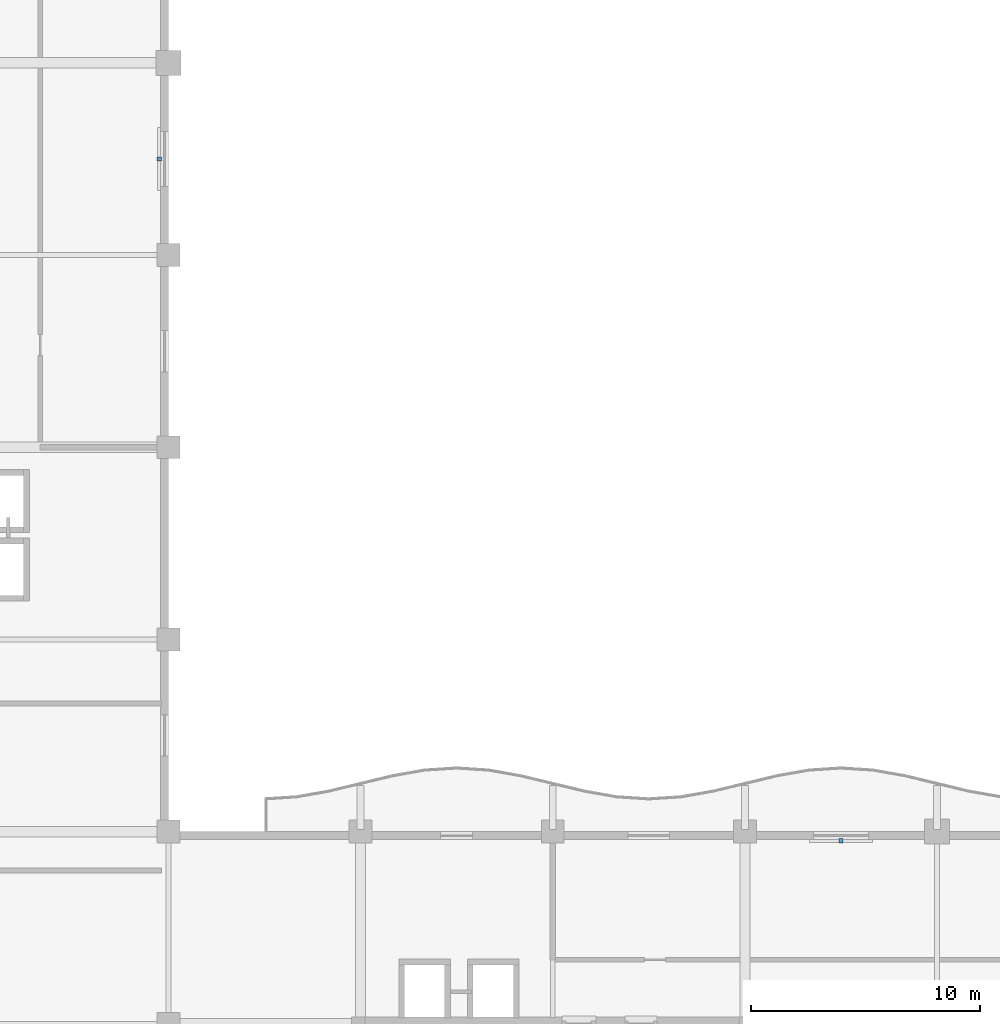
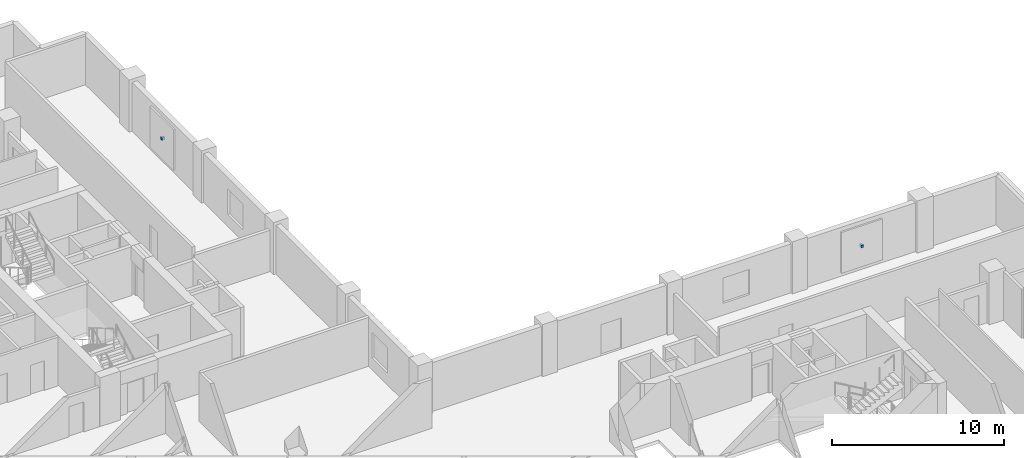
# One storey, part 16 of 20: 2 discrete accessories.
"""IFC4 building model written with IfcOpenShell, lengths in metres."""

import ifcopenshell
import ifcopenshell.guid

model = None  # the IFC model being written
_history = None  # IfcOwnerHistory: only IFC2X3 demands one
_inside = {}  # id of a spatial element -> (the spatial element, [elements in it])
_under = {}  # id of a project, library or spatial element -> (it, [spatial elements below it])
_declared = {}  # id of a project -> (the project, [libraries it declares])
_typed = {}  # id of a type object -> (the type object, [elements of that type])
_made_of = {}  # id of a material, layer set ... -> (it, [elements and type objects made of it])


def new_model(schema):
    """Start an empty IFC model of exactly this schema.

    Asked for "IFC4X3", IfcOpenShell would pick the latest addendum, in which some entities
    have other attributes; the version numbers below select the first issue.
    IFC2X3 requires an IfcOwnerHistory on every rooted entity: one is made here for all.
    """
    global model, _history
    if schema == "IFC4X3":
        model = ifcopenshell.file(schema_version=(4, 3, 0, 0))
    else:
        model = ifcopenshell.file(schema=schema)
    _inside.clear()
    _under.clear()
    _declared.clear()
    _typed.clear()
    _made_of.clear()
    _history = None
    if model.schema == "IFC2X3":
        org = make("IfcOrganization", Name="unknown")
        user = make(
            "IfcPersonAndOrganization",
            ThePerson=make("IfcPerson", FamilyName="unknown"),
            TheOrganization=org,
        )
        app = make(
            "IfcApplication",
            ApplicationDeveloper=org,
            Version="unknown",
            ApplicationFullName="unknown",
            ApplicationIdentifier="unknown",
        )
        _history = make(
            "IfcOwnerHistory",
            OwningUser=user,
            OwningApplication=app,
            ChangeAction="ADDED",
            CreationDate=0,
        )
    return model


def make(cls, **values):
    """One entity of the class cls with the attributes given. An attribute that is None is left unset."""
    return model.create_entity(
        cls, **{name: value for name, value in values.items() if value is not None}
    )


def rooted(cls, **values):
    """An entity with a GlobalId (a new one), such as an element, a storey or a relation."""
    return make(cls, GlobalId=ifcopenshell.guid.new(), OwnerHistory=_history, **values)


def si_unit(unit_type, name, prefix=None):
    """IfcSIUnit, for example si_unit("LENGTHUNIT", "METRE", prefix="MILLI")."""
    return make("IfcSIUnit", UnitType=unit_type, Prefix=prefix, Name=name)


def assignment(units):
    """IfcUnitAssignment: the units of a project."""
    return None if units is None else make("IfcUnitAssignment", Units=units)


def point(xyz):
    """IfcCartesianPoint."""
    return None if xyz is None else make("IfcCartesianPoint", Coordinates=xyz)


def direction(xyz):
    """IfcDirection."""
    return None if xyz is None else make("IfcDirection", DirectionRatios=xyz)


def frame(location, z_axis=None, x_axis=None):
    """IfcAxis2Placement3D, a coordinate frame: its origin and axes. An axis left out is left unset."""
    return make(
        "IfcAxis2Placement3D",
        Location=point(location),
        Axis=direction(z_axis),
        RefDirection=direction(x_axis),
    )


def frame_2d(location, x_axis=None):
    """IfcAxis2Placement2D, a coordinate frame in the plane: its origin and x axis."""
    return make(
        "IfcAxis2Placement2D", Location=point(location), RefDirection=direction(x_axis)
    )


def origin():
    """The frame at (0, 0, 0) with its axes left unset."""
    return frame((0.0, 0.0, 0.0))


def origin_2d():
    """The frame at (0, 0) in the plane with its x axis left unset."""
    return frame_2d((0.0, 0.0))


def place(relative_to, where):
    """IfcLocalPlacement: puts the frame where relative to a parent placement (None: the world)."""
    return make(
        "IfcLocalPlacement", PlacementRelTo=relative_to, RelativePlacement=where
    )


def context(
    kind, dimensions, precision=None, world=None, true_north=None, identifier=None
):
    """IfcGeometricRepresentationContext, for example the 3D "Model" context."""
    return make(
        "IfcGeometricRepresentationContext",
        ContextIdentifier=identifier,
        ContextType=kind,
        CoordinateSpaceDimension=dimensions,
        Precision=precision,
        WorldCoordinateSystem=world,
        TrueNorth=true_north,
    )


def subcontext(parent, identifier, kind, view, scale=None):
    """IfcGeometricRepresentationSubContext, for example "Body" below "Model"."""
    return make(
        "IfcGeometricRepresentationSubContext",
        ContextIdentifier=identifier,
        ContextType=kind,
        ParentContext=parent,
        TargetScale=scale,
        TargetView=view,
    )


def project(units=None, contexts=None):
    """IfcProject with its units and contexts."""
    return rooted(
        "IfcProject",
        Name="project",
        RepresentationContexts=contexts,
        UnitsInContext=assignment(units),
    )


def spatial(cls, under=None, at=None, **own):
    """A site, building, storey or space (cls), placed at a placement, below another one or the project."""
    s = rooted(cls, ObjectPlacement=at, **own)
    if under is not None:
        _under.setdefault(under.id(), (under, []))[1].append(s)
    return s


def profile(cls, at=None, kind="AREA", **sizes):
    """A parametric profile (cls). Its sizes go by their IFC names, for example OverallWidth=200.0."""
    return make(cls, ProfileType=kind, Position=at, **sizes)


def rectangle(**sizes):
    """IfcRectangleProfileDef."""
    return profile("IfcRectangleProfileDef", **sizes)


def extrude(swept, where, along, depth):
    """IfcExtrudedAreaSolid: the profile swept, set in the frame where, extruded along a direction by depth."""
    return make(
        "IfcExtrudedAreaSolid",
        SweptArea=swept,
        Position=where,
        ExtrudedDirection=direction(along),
        Depth=depth,
    )


def shape(context_of_items, identifier, shape_type, items):
    """IfcShapeRepresentation: the items that make up one representation, for example the "Body"."""
    return make(
        "IfcShapeRepresentation",
        ContextOfItems=context_of_items,
        RepresentationIdentifier=identifier,
        RepresentationType=shape_type,
        Items=items,
    )


def material(Name=None, Category=None):
    """IfcMaterial."""
    return make("IfcMaterial", Name=Name, Category=Category)


def made_of(thing, what):
    """Note that an element or type object is made of a material, layer set ...; save() writes the relation."""
    if what is not None:
        _made_of.setdefault(what.id(), (what, []))[1].append(thing)
    return thing


def type_object(cls, material=None, **own):
    """A type object (cls), such as IfcWallType, which elements share."""
    return made_of(rooted(cls, **own), material)


def element(
    cls,
    number,
    at=None,
    inside=None,
    cuts=None,
    type_object=None,
    material=None,
    context=None,
    identifier="Body",
    shape_type=None,
    held_by="IfcProductDefinitionShape",
    body=None,
    shapes=None,
    **own,
):
    """One element of the class cls, such as IfcWall. Its Tag is "e" and its number.

    at: its placement. inside: the storey or other place that contains it. cuts: it is an
    opening in that element (IfcRelVoidsElement). A single representation is given by context,
    identifier, shape_type and body (its items); several are given by shapes. held_by: the class
    of the entity that holds the representations. save() writes the other relations.
    """
    e = rooted(cls, Tag="e%d" % number, ObjectPlacement=at, **own)
    if body is not None:
        shapes = [shape(context, identifier, shape_type, body)]
    if shapes is not None:
        e.Representation = make(held_by, Representations=shapes)
    if inside is not None:
        _inside.setdefault(inside.id(), (inside, []))[1].append(e)
    if cuts is not None:
        rooted(
            "IfcRelVoidsElement", RelatingBuildingElement=cuts, RelatedOpeningElement=e
        )
    if type_object is not None:
        _typed.setdefault(type_object.id(), (type_object, []))[1].append(e)
    return made_of(e, material)


def aggregate(whole, parts):
    """IfcRelAggregates: a whole, such as a stair, and the parts it consists of."""
    return rooted("IfcRelAggregates", RelatingObject=whole, RelatedObjects=parts)


def save(model, path):
    """Write the relations noted so far, then the file.

    IfcRelAggregates (storeys below a building ...), IfcRelContainedInSpatialStructure (elements
    in a storey), IfcRelDefinesByType, IfcRelAssociatesMaterial and IfcRelDeclares: one each for
    every whole, place, type object, material and project.
    """
    for whole, parts in _under.values():
        aggregate(whole, parts)
    for where, things in _inside.values():
        rooted(
            "IfcRelContainedInSpatialStructure",
            RelatedElements=things,
            RelatingStructure=where,
        )
    for kind, things in _typed.values():
        rooted("IfcRelDefinesByType", RelatedObjects=things, RelatingType=kind)
    for what, things in _made_of.values():
        rooted("IfcRelAssociatesMaterial", RelatedObjects=things, RelatingMaterial=what)
    for by, libraries in _declared.values():
        rooted("IfcRelDeclares", RelatingContext=by, RelatedDefinitions=libraries)
    model.write(path)


model = new_model("IFC4")

# Units and contexts
model_context = context("Model", 3, precision=1e-05, world=origin(), true_north=direction((0.0, 1.0)))
body_context = subcontext(model_context, "Body", "Model", "MODEL_VIEW")
ifc_project = project(units=[si_unit("LENGTHUNIT", "METRE"), si_unit("AREAUNIT", "SQUARE_METRE"), si_unit("VOLUMEUNIT", "CUBIC_METRE"), si_unit("PLANEANGLEUNIT", "RADIAN"), si_unit("MASSUNIT", "GRAM", prefix="KILO")], contexts=[model_context])

# Site, building, storey
site_placement = place(None, origin())
site = spatial("IfcSite", under=ifc_project, at=site_placement, CompositionType="ELEMENT")
building_placement = place(site_placement, origin())
building = spatial("IfcBuilding", under=site, at=building_placement, Name="Koriwani Terraces Tower", CompositionType="ELEMENT")
storey_placement = place(building_placement, frame((0.0, 0.0, 212.39990234375)))
storey = spatial("IfcBuildingStorey", under=building, at=storey_placement, Name="L52", CompositionType="ELEMENT", Elevation=212.39990234375)

# Discrete accessories
ifc_material = material(Name="Steel ASTM A572 Grade 50", Category="steel")
discrete_accessory_type = type_object("IfcDiscreteAccessoryType", Name="BAGUETTE_STANDOFF_BRACKET", PredefinedType="BRACKET", material=ifc_material)
for number, where, z_axis, x_axis, name in (
    (1, (33.2099609375, 63.0, 1.64501953125), (0.0, 0.0, 1.0), (0.0, -1.0, 0.0), "L52 Terracotta Baguette Bracket (NW_IN-11)"),
    (2, (63.0, 33.2099609375, 1.64501953125), (0.0, 0.0, 1.0), (1.0, 0.0, 0.0), "L52 Terracotta Baguette Bracket (NE-11)"),
):
    element("IfcDiscreteAccessory", number, at=place(storey_placement, frame(where, z_axis=z_axis, x_axis=x_axis)), inside=storey, type_object=discrete_accessory_type, Name=name, PredefinedType="BRACKET", context=body_context, shape_type="SweptSolid", body=[
        extrude(rectangle(XDim=0.159912109375, YDim=0.199951171875, at=origin_2d()), origin(), (0.0, 0.0, 1.0), 0.179931640625),
    ])

save(model, "model.ifc")
